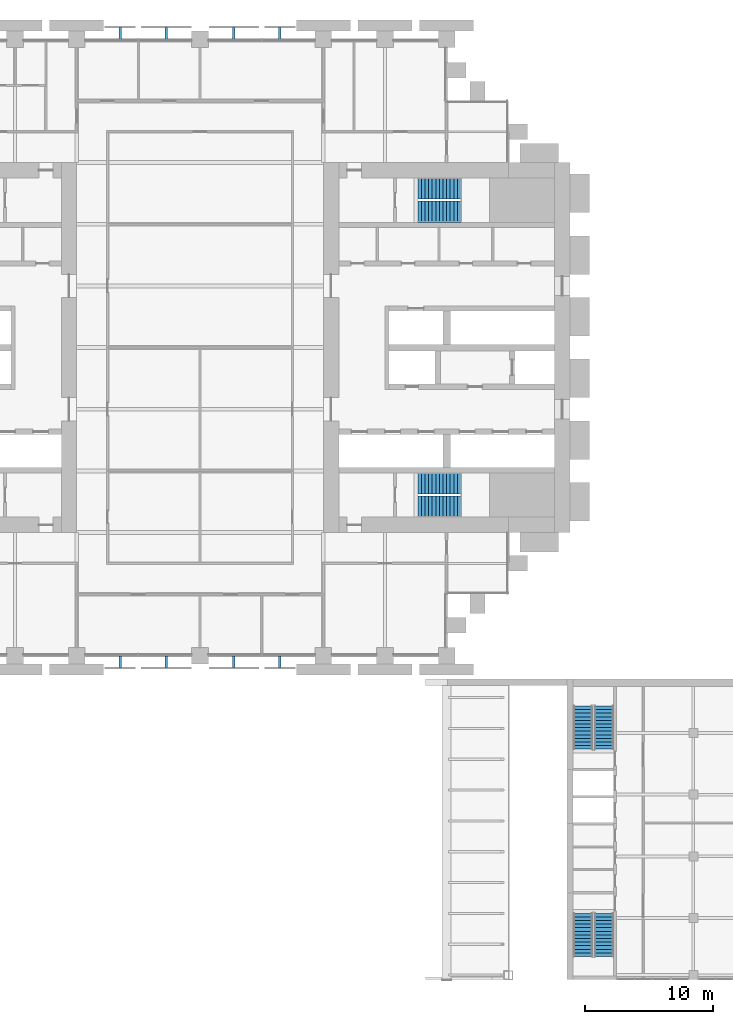
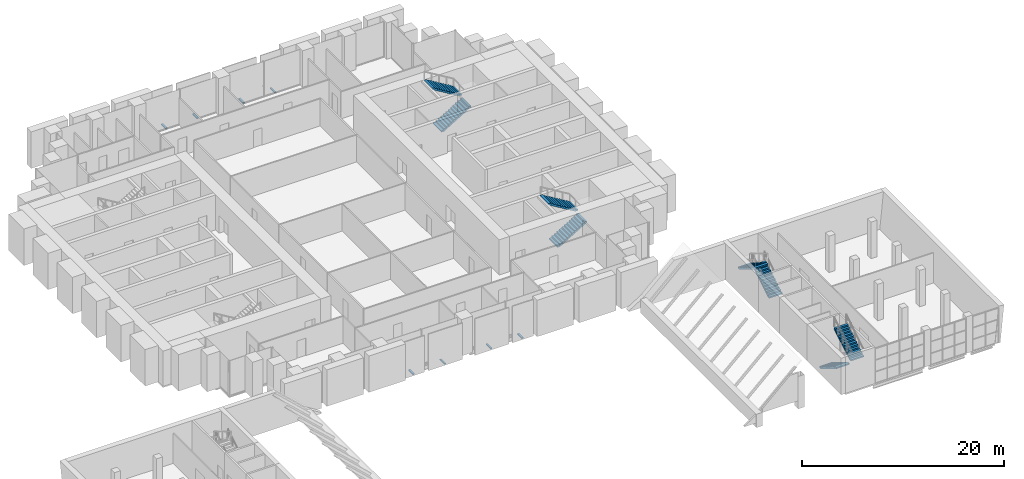
# One storey, part 26 of 30: 8 discrete accessories, 8 stair flights, 4 elements without a shape of their own.
"""IFC4 building model written with IfcOpenShell, lengths in metres."""

from ifc_helpers import new_model, si_unit, direction, frame, origin, origin_2d, place, context, subcontext, project, spatial, polyline, rectangle, outline, extrude, material, type_object, element, aggregate, save


model = new_model("IFC4")

# Units and contexts
model_context = context("Model", 3, precision=1e-05, world=origin(), true_north=direction((0.0, 1.0)))
body_context = subcontext(model_context, "Body", "Model", "MODEL_VIEW")
ifc_project = project(units=[si_unit("LENGTHUNIT", "METRE"), si_unit("AREAUNIT", "SQUARE_METRE"), si_unit("VOLUMEUNIT", "CUBIC_METRE"), si_unit("PLANEANGLEUNIT", "RADIAN"), si_unit("MASSUNIT", "GRAM", prefix="KILO")], contexts=[model_context])

# Site, building, storey
site_placement = place(None, origin())
site = spatial("IfcSite", under=ifc_project, at=site_placement, CompositionType="ELEMENT")
building_placement = place(site_placement, origin())
building = spatial("IfcBuilding", under=site, at=building_placement, Name="Baori Bourse Tower", CompositionType="ELEMENT")
storey_placement = place(building_placement, frame((0.0, 0.0, 17.0)))
storey = spatial("IfcBuildingStorey", under=building, at=storey_placement, Name="L02", CompositionType="ELEMENT", Elevation=17.0)

# Stair, stair flights
ifc_material_1 = material(Name="Concrete f'c 50 MPa", Category="concrete")
stair_type_1 = type_object("IfcStairType", Name="Core stair", PredefinedType="HALF_TURN_STAIR", material=ifc_material_1)
stair_1_placement = place(storey_placement, origin())
stair_1 = element("IfcStair", 1, at=stair_1_placement, inside=storey, type_object=stair_type_1, Name="L02 Stair EA", PredefinedType="HALF_TURN_STAIR")
ifc_material_2 = material(Name="Concrete f'c 50 MPa", Category="concrete")
stair_flight_type_1 = type_object("IfcStairFlightType", Name="Core stair flight", PredefinedType="STRAIGHT", material=ifc_material_2)
stair_flight_1_placement = place(storey_placement, frame((45.75, 11.625, 0.0), z_axis=(0.0, 0.0, 1.0), x_axis=(1.0, 0.0, 0.0)))
stair_flight_1 = element("IfcStairFlight", 2, at=stair_flight_1_placement, type_object=stair_flight_type_1, Name="ST3 flight 1", NumberOfRisers=13, NumberOfTreads=12, PredefinedType="STRAIGHT", RiserHeight=0.169230769, TreadLength=0.28, context=body_context, shape_type="SweptSolid", body=[
    extrude(outline(polyline([(0.0, 0.0), (0.0, 0.169189453125), (0.280029296875, 0.169189453125), (0.280029296875, 0.33837890625), (0.56005859375, 0.33837890625), (0.56005859375, 0.5078125), (0.840087890625, 0.5078125), (0.840087890625, 0.677001953125), (1.1201171875, 0.677001953125), (1.1201171875, 0.84619140625), (1.39990234375, 0.84619140625), (1.39990234375, 1.015380859375), (1.679931640625, 1.015380859375), (1.679931640625, 1.1845703125), (1.9599609375, 1.1845703125), (1.9599609375, 1.353759765625), (2.239990234375, 1.353759765625), (2.239990234375, 1.523193359375), (2.52001953125, 1.523193359375), (2.52001953125, 1.6923828125), (2.800048828125, 1.6923828125), (2.800048828125, 1.861572265625), (3.080078125, 1.861572265625), (3.080078125, 2.03076171875), (3.360107421875, 2.03076171875), (3.360107421875, 2.199951171875), (3.360107421875, 1.855712890625), (0.289794921875, 0.0), (0.0, 0.0)])), frame((0.0, 0.824951171875, 0.0), z_axis=(0.0, -1.0, 0.0), x_axis=(1.0, 0.0, 0.0)), (0.0, 0.0, 1.0), 1.64990234375),
])
stair_flight_2_placement = place(storey_placement, frame((49.110107421875, 13.425048828125, 2.199951171875), z_axis=(0.0, 0.0, 1.0), x_axis=(-1.0, 0.0, 0.0)))
stair_flight_2 = element("IfcStairFlight", 3, at=stair_flight_2_placement, type_object=stair_flight_type_1, Name="ST3 flight 2", NumberOfRisers=13, NumberOfTreads=12, PredefinedType="STRAIGHT", RiserHeight=0.169230769, TreadLength=0.28, context=body_context, shape_type="SweptSolid", body=[
    extrude(outline(polyline([(0.0, 0.0), (0.0, 0.169189453125), (0.280029296875, 0.169189453125), (0.280029296875, 0.33837890625), (0.56005859375, 0.33837890625), (0.56005859375, 0.5078125), (0.840087890625, 0.5078125), (0.840087890625, 0.677001953125), (1.1201171875, 0.677001953125), (1.1201171875, 0.84619140625), (1.39990234375, 0.84619140625), (1.39990234375, 1.015380859375), (1.679931640625, 1.015380859375), (1.679931640625, 1.1845703125), (1.9599609375, 1.1845703125), (1.9599609375, 1.353759765625), (2.239990234375, 1.353759765625), (2.239990234375, 1.523193359375), (2.52001953125, 1.523193359375), (2.52001953125, 1.6923828125), (2.800048828125, 1.6923828125), (2.800048828125, 1.861572265625), (3.080078125, 1.861572265625), (3.080078125, 2.03076171875), (3.360107421875, 2.03076171875), (3.360107421875, 2.199951171875), (3.360107421875, 1.855712890625), (0.289794921875, 0.0), (0.0, 0.0)])), frame((0.0, 0.824951171875, 0.0), z_axis=(0.0, -1.0, 0.0), x_axis=(1.0, 0.0, 0.0)), (0.0, 0.0, 1.0), 1.64990234375),
])
aggregate(stair_1, [stair_flight_1, stair_flight_2])

stair_2_placement = place(storey_placement, origin())
stair_2 = element("IfcStair", 4, at=stair_2_placement, inside=storey, type_object=stair_type_1, Name="L02 Stair EB", PredefinedType="HALF_TURN_STAIR")
stair_flight_3_placement = place(storey_placement, frame((45.75, 34.574951171875, 0.0), z_axis=(0.0, 0.0, 1.0), x_axis=(1.0, 0.0, 0.0)))
stair_flight_3 = element("IfcStairFlight", 5, at=stair_flight_3_placement, type_object=stair_flight_type_1, Name="ST4 flight 1", NumberOfRisers=13, NumberOfTreads=12, PredefinedType="STRAIGHT", RiserHeight=0.169230769, TreadLength=0.28, context=body_context, shape_type="SweptSolid", body=[
    extrude(outline(polyline([(0.0, 0.0), (0.0, 0.169189453125), (0.280029296875, 0.169189453125), (0.280029296875, 0.33837890625), (0.56005859375, 0.33837890625), (0.56005859375, 0.5078125), (0.840087890625, 0.5078125), (0.840087890625, 0.677001953125), (1.1201171875, 0.677001953125), (1.1201171875, 0.84619140625), (1.39990234375, 0.84619140625), (1.39990234375, 1.015380859375), (1.679931640625, 1.015380859375), (1.679931640625, 1.1845703125), (1.9599609375, 1.1845703125), (1.9599609375, 1.353759765625), (2.239990234375, 1.353759765625), (2.239990234375, 1.523193359375), (2.52001953125, 1.523193359375), (2.52001953125, 1.6923828125), (2.800048828125, 1.6923828125), (2.800048828125, 1.861572265625), (3.080078125, 1.861572265625), (3.080078125, 2.03076171875), (3.360107421875, 2.03076171875), (3.360107421875, 2.199951171875), (3.360107421875, 1.855712890625), (0.289794921875, 0.0), (0.0, 0.0)])), frame((0.0, 0.824951171875, 0.0), z_axis=(0.0, -1.0, 0.0), x_axis=(1.0, 0.0, 0.0)), (0.0, 0.0, 1.0), 1.64990234375),
])
stair_flight_4_placement = place(storey_placement, frame((49.110107421875, 36.375, 2.199951171875), z_axis=(0.0, 0.0, 1.0), x_axis=(-1.0, 0.0, 0.0)))
stair_flight_4 = element("IfcStairFlight", 6, at=stair_flight_4_placement, type_object=stair_flight_type_1, Name="ST4 flight 2", NumberOfRisers=13, NumberOfTreads=12, PredefinedType="STRAIGHT", RiserHeight=0.169230769, TreadLength=0.28, context=body_context, shape_type="SweptSolid", body=[
    extrude(outline(polyline([(0.0, 0.0), (0.0, 0.169189453125), (0.280029296875, 0.169189453125), (0.280029296875, 0.33837890625), (0.56005859375, 0.33837890625), (0.56005859375, 0.5078125), (0.840087890625, 0.5078125), (0.840087890625, 0.677001953125), (1.1201171875, 0.677001953125), (1.1201171875, 0.84619140625), (1.39990234375, 0.84619140625), (1.39990234375, 1.015380859375), (1.679931640625, 1.015380859375), (1.679931640625, 1.1845703125), (1.9599609375, 1.1845703125), (1.9599609375, 1.353759765625), (2.239990234375, 1.353759765625), (2.239990234375, 1.523193359375), (2.52001953125, 1.523193359375), (2.52001953125, 1.6923828125), (2.800048828125, 1.6923828125), (2.800048828125, 1.861572265625), (3.080078125, 1.861572265625), (3.080078125, 2.03076171875), (3.360107421875, 2.03076171875), (3.360107421875, 2.199951171875), (3.360107421875, 1.855712890625), (0.289794921875, 0.0), (0.0, 0.0)])), frame((0.0, 0.824951171875, 0.0), z_axis=(0.0, -1.0, 0.0), x_axis=(1.0, 0.0, 0.0)), (0.0, 0.0, 1.0), 1.64990234375),
])
aggregate(stair_2, [stair_flight_3, stair_flight_4])

ifc_material_3 = material(Name="Concrete f'c 40 MPa", Category="concrete")
stair_type_2 = type_object("IfcStairType", Name="Wing exit stair 1500", PredefinedType="HALF_TURN_STAIR", material=ifc_material_3)
stair_3_placement = place(storey_placement, origin())
stair_3 = element("IfcStair", 7, at=stair_3_placement, inside=storey, type_object=stair_type_2, Name="L02 Exit stair EA", PredefinedType="HALF_TURN_STAIR")
ifc_material_4 = material(Name="Concrete f'c 40 MPa", Category="concrete")
stair_flight_type_2 = type_object("IfcStairFlightType", Name="Wing stair flight 1500", PredefinedType="STRAIGHT", material=ifc_material_4)
stair_flight_5_placement = place(storey_placement, frame((60.25, -7.260009765625, 0.0), z_axis=(0.0, 0.0, 1.0), x_axis=(0.0, 1.0, 0.0)))
stair_flight_5 = element("IfcStairFlight", 8, at=stair_flight_5_placement, type_object=stair_flight_type_2, Name="E-STA flight 1", NumberOfRisers=13, NumberOfTreads=12, PredefinedType="STRAIGHT", RiserHeight=0.169230769, TreadLength=0.28, context=body_context, shape_type="SweptSolid", body=[
    extrude(outline(polyline([(0.0, 0.0), (0.0, 0.169189453125), (0.280029296875, 0.169189453125), (0.280029296875, 0.33837890625), (0.56005859375, 0.33837890625), (0.56005859375, 0.5078125), (0.840087890625, 0.5078125), (0.840087890625, 0.677001953125), (1.1201171875, 0.677001953125), (1.1201171875, 0.84619140625), (1.39990234375, 0.84619140625), (1.39990234375, 1.015380859375), (1.679931640625, 1.015380859375), (1.679931640625, 1.1845703125), (1.9599609375, 1.1845703125), (1.9599609375, 1.353759765625), (2.239990234375, 1.353759765625), (2.239990234375, 1.523193359375), (2.52001953125, 1.523193359375), (2.52001953125, 1.6923828125), (2.800048828125, 1.6923828125), (2.800048828125, 1.861572265625), (3.080078125, 1.861572265625), (3.080078125, 2.03076171875), (3.360107421875, 2.03076171875), (3.360107421875, 2.199951171875), (3.360107421875, 1.855712890625), (0.289794921875, 0.0), (0.0, 0.0)])), frame((0.0, 0.75, 0.0), z_axis=(0.0, -1.0, 0.0), x_axis=(1.0, 0.0, 0.0)), (0.0, 0.0, 1.0), 1.5),
])
stair_flight_6_placement = place(storey_placement, frame((58.60009765625, -3.89990234375, 2.199951171875), z_axis=(0.0, 0.0, 1.0), x_axis=(0.0, -1.0, 0.0)))
stair_flight_6 = element("IfcStairFlight", 9, at=stair_flight_6_placement, type_object=stair_flight_type_2, Name="E-STA flight 2", NumberOfRisers=13, NumberOfTreads=12, PredefinedType="STRAIGHT", RiserHeight=0.169230769, TreadLength=0.28, context=body_context, shape_type="SweptSolid", body=[
    extrude(outline(polyline([(0.0, 0.0), (0.0, 0.169189453125), (0.280029296875, 0.169189453125), (0.280029296875, 0.33837890625), (0.56005859375, 0.33837890625), (0.56005859375, 0.5078125), (0.840087890625, 0.5078125), (0.840087890625, 0.677001953125), (1.1201171875, 0.677001953125), (1.1201171875, 0.84619140625), (1.39990234375, 0.84619140625), (1.39990234375, 1.015380859375), (1.679931640625, 1.015380859375), (1.679931640625, 1.1845703125), (1.9599609375, 1.1845703125), (1.9599609375, 1.353759765625), (2.239990234375, 1.353759765625), (2.239990234375, 1.523193359375), (2.52001953125, 1.523193359375), (2.52001953125, 1.6923828125), (2.800048828125, 1.6923828125), (2.800048828125, 1.861572265625), (3.080078125, 1.861572265625), (3.080078125, 2.03076171875), (3.360107421875, 2.03076171875), (3.360107421875, 2.199951171875), (3.360107421875, 1.855712890625), (0.289794921875, 0.0), (0.0, 0.0)])), frame((0.0, 0.75, 0.0), z_axis=(0.0, -1.0, 0.0), x_axis=(1.0, 0.0, 0.0)), (0.0, 0.0, 1.0), 1.5),
])
aggregate(stair_3, [stair_flight_5, stair_flight_6])

stair_4_placement = place(storey_placement, origin())
stair_4 = element("IfcStair", 10, at=stair_4_placement, inside=storey, type_object=stair_type_2, Name="L02 Exit stair EB", PredefinedType="HALF_TURN_STAIR")
stair_flight_7_placement = place(storey_placement, frame((58.60009765625, -20.0400390625, 0.0), z_axis=(0.0, 0.0, 1.0), x_axis=(0.0, -1.0, 0.0)))
stair_flight_7 = element("IfcStairFlight", 11, at=stair_flight_7_placement, type_object=stair_flight_type_2, Name="E-STB flight 1", NumberOfRisers=13, NumberOfTreads=12, PredefinedType="STRAIGHT", RiserHeight=0.169230769, TreadLength=0.28, context=body_context, shape_type="SweptSolid", body=[
    extrude(outline(polyline([(0.0, 0.0), (0.0, 0.169189453125), (0.280029296875, 0.169189453125), (0.280029296875, 0.33837890625), (0.56005859375, 0.33837890625), (0.56005859375, 0.5078125), (0.840087890625, 0.5078125), (0.840087890625, 0.677001953125), (1.1201171875, 0.677001953125), (1.1201171875, 0.84619140625), (1.39990234375, 0.84619140625), (1.39990234375, 1.015380859375), (1.679931640625, 1.015380859375), (1.679931640625, 1.1845703125), (1.9599609375, 1.1845703125), (1.9599609375, 1.353759765625), (2.239990234375, 1.353759765625), (2.239990234375, 1.523193359375), (2.52001953125, 1.523193359375), (2.52001953125, 1.6923828125), (2.800048828125, 1.6923828125), (2.800048828125, 1.861572265625), (3.080078125, 1.861572265625), (3.080078125, 2.03076171875), (3.360107421875, 2.03076171875), (3.360107421875, 2.199951171875), (3.360107421875, 1.855712890625), (0.289794921875, 0.0), (0.0, 0.0)])), frame((0.0, 0.75, 0.0), z_axis=(0.0, -1.0, 0.0), x_axis=(1.0, 0.0, 0.0)), (0.0, 0.0, 1.0), 1.5),
])
stair_flight_8_placement = place(storey_placement, frame((60.25, -23.39990234375, 2.199951171875), z_axis=(0.0, 0.0, 1.0), x_axis=(0.0, 1.0, 0.0)))
stair_flight_8 = element("IfcStairFlight", 12, at=stair_flight_8_placement, type_object=stair_flight_type_2, Name="E-STB flight 2", NumberOfRisers=13, NumberOfTreads=12, PredefinedType="STRAIGHT", RiserHeight=0.169230769, TreadLength=0.28, context=body_context, shape_type="SweptSolid", body=[
    extrude(outline(polyline([(0.0, 0.0), (0.0, 0.169189453125), (0.280029296875, 0.169189453125), (0.280029296875, 0.33837890625), (0.56005859375, 0.33837890625), (0.56005859375, 0.5078125), (0.840087890625, 0.5078125), (0.840087890625, 0.677001953125), (1.1201171875, 0.677001953125), (1.1201171875, 0.84619140625), (1.39990234375, 0.84619140625), (1.39990234375, 1.015380859375), (1.679931640625, 1.015380859375), (1.679931640625, 1.1845703125), (1.9599609375, 1.1845703125), (1.9599609375, 1.353759765625), (2.239990234375, 1.353759765625), (2.239990234375, 1.523193359375), (2.52001953125, 1.523193359375), (2.52001953125, 1.6923828125), (2.800048828125, 1.6923828125), (2.800048828125, 1.861572265625), (3.080078125, 1.861572265625), (3.080078125, 2.03076171875), (3.360107421875, 2.03076171875), (3.360107421875, 2.199951171875), (3.360107421875, 1.855712890625), (0.289794921875, 0.0), (0.0, 0.0)])), frame((0.0, 0.75, 0.0), z_axis=(0.0, -1.0, 0.0), x_axis=(1.0, 0.0, 0.0)), (0.0, 0.0, 1.0), 1.5),
])
aggregate(stair_4, [stair_flight_7, stair_flight_8])

# Discrete accessories
ifc_material_5 = material(Name="Pale anodised aluminium", Category="aluminium")
discrete_accessory_type = type_object("IfcDiscreteAccessoryType", Name="OS2 Outer skin bracket", PredefinedType="BRACKET", material=ifc_material_5)
for number, where, z_axis, x_axis, name in (
    (13, (35.012451171875, 48.449951171875, -0.14404296875), (0.0, 0.0, 1.0), (-1.0, 0.0, 0.0), "Outer skin bracket L02 1"),
    (14, (31.4375, 48.449951171875, -0.14404296875), (0.0, 0.0, 1.0), (-1.0, 0.0, 0.0), "Outer skin bracket L02 2"),
    (15, (26.16259765625, 48.449951171875, -0.14404296875), (0.0, 0.0, 1.0), (-1.0, 0.0, 0.0), "Outer skin bracket L02 3"),
    (16, (22.58740234375, 48.449951171875, -0.14404296875), (0.0, 0.0, 1.0), (-1.0, 0.0, 0.0), "Outer skin bracket L02 4"),
    (17, (22.58740234375, -0.449951171875, -0.14404296875), (0.0, 0.0, 1.0), (1.0, 0.0, 0.0), "Outer skin bracket L02 5"),
    (18, (26.16259765625, -0.449951171875, -0.14404296875), (0.0, 0.0, 1.0), (1.0, 0.0, 0.0), "Outer skin bracket L02 6"),
    (19, (31.4375, -0.449951171875, -0.14404296875), (0.0, 0.0, 1.0), (1.0, 0.0, 0.0), "Outer skin bracket L02 7"),
    (20, (35.012451171875, -0.449951171875, -0.14404296875), (0.0, 0.0, 1.0), (1.0, 0.0, 0.0), "Outer skin bracket L02 8"),
):
    element("IfcDiscreteAccessory", number, at=place(storey_placement, frame(where, z_axis=z_axis, x_axis=x_axis)), inside=storey, type_object=discrete_accessory_type, Name=name, PredefinedType="BRACKET", context=body_context, shape_type="SweptSolid", body=[
        extrude(rectangle(XDim=0.199951171875, YDim=0.89990234375, at=origin_2d()), origin(), (0.0, 0.0, 1.0), 0.1279296875),
    ])

save(model, "model.ifc")
